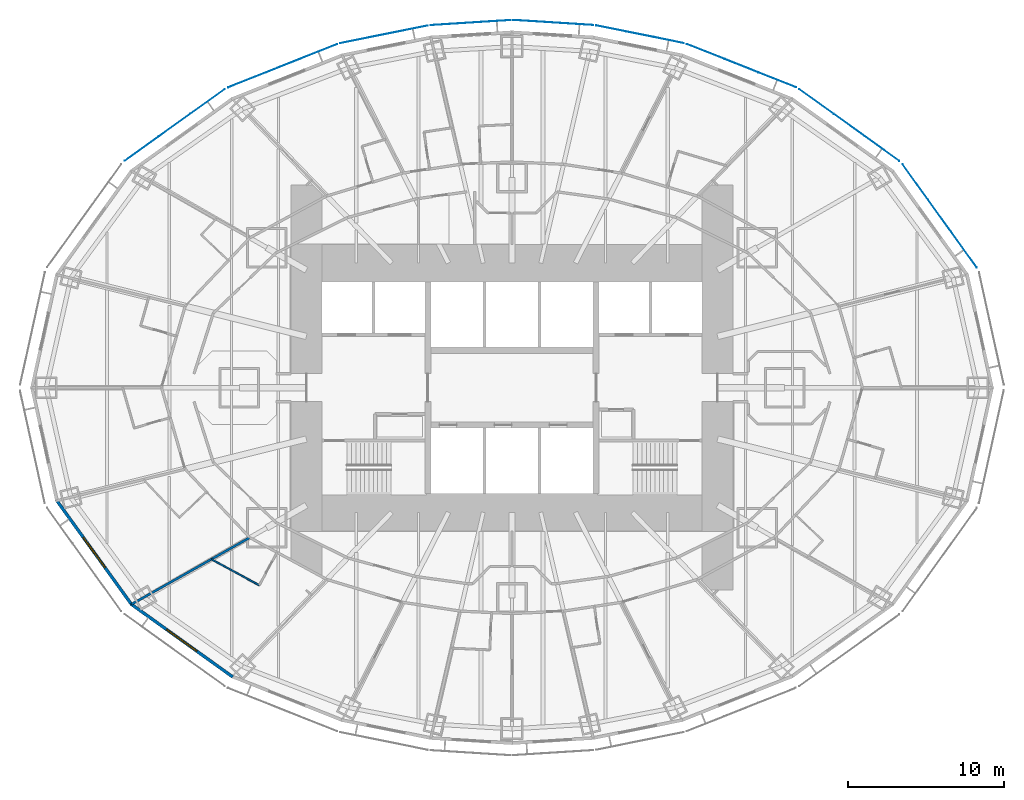
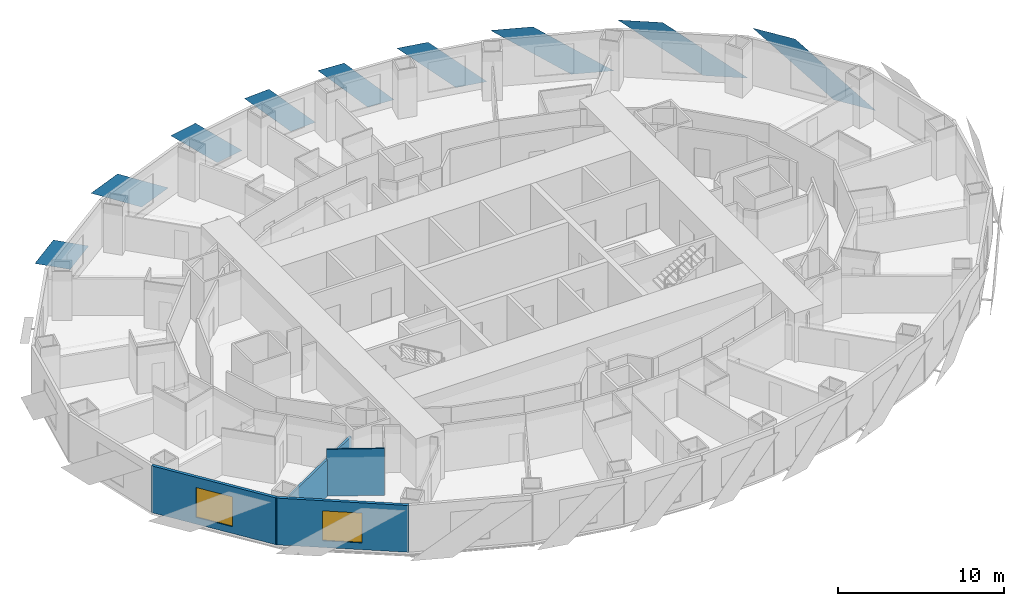
# One storey, part 4 of 15: 9 plates, 4 walls, 2 windows, 2 openings.
"""IFC4 building model written with IfcOpenShell, lengths in metres."""

from ifc_helpers import new_model, si_unit, direction, frame, frame_2d, origin, place, context, subcontext, project, spatial, polyline, rectangle, outline, extrude, material, layer, layer_set, type_object, element, fill, save


model = new_model("IFC4")

# Units and contexts
model_context = context("Model", 3, precision=1e-05, world=origin(), true_north=direction((0.0, 1.0)))
body_context = subcontext(model_context, "Body", "Model", "MODEL_VIEW")
ifc_project = project(units=[si_unit("LENGTHUNIT", "METRE"), si_unit("AREAUNIT", "SQUARE_METRE"), si_unit("VOLUMEUNIT", "CUBIC_METRE"), si_unit("PLANEANGLEUNIT", "RADIAN"), si_unit("MASSUNIT", "GRAM", prefix="KILO")], contexts=[model_context])

# Site, building, storey
site_placement = place(None, origin())
site = spatial("IfcSite", under=ifc_project, at=site_placement, CompositionType="ELEMENT")
building_placement = place(site_placement, origin())
building = spatial("IfcBuilding", under=site, at=building_placement, Name="Lantaw Convention Tower", CompositionType="ELEMENT")
storey_placement = place(building_placement, frame((0.0, 0.0, 44.199951171875)))
storey = spatial("IfcBuildingStorey", under=building, at=storey_placement, Name="L08", CompositionType="ELEMENT", Elevation=44.199951171875)

# Plates
ifc_material_1 = material(Name="Perforated aluminium sheet, pale silver finish", Category="aluminium")
ifc_layer_1 = layer(ifc_material_1, 0.006103515625)
ifc_layer_set_1 = layer_set([ifc_layer_1], Name="Perforated aluminium solar SCREEN panel")
plate_type = type_object("IfcPlateType", Name="Perforated aluminium solar SCREEN panel", PredefinedType="SHEET", material=ifc_layer_set_1)
plate_1_placement = place(storey_placement, frame((29.847900390625, 7.720947265625, -0.175048828125), z_axis=(0.811791382613, 0.583947558463, 9.019268e-06), x_axis=(-0.583947558486, 0.811791382646, 0.0)))
element("IfcPlate", 1, at=plate_1_placement, inside=storey, type_object=plate_type, Name="Solar SCREEN panel", PredefinedType="SHEET", context=body_context, shape_type="SweptSolid", body=[
    extrude(outline(polyline([(0.0, 0.0), (2.809541672291133, 0.0), (8.163093158837512, 3.739990234527119), (5.353551486546379, 3.739990234527119), (0.0, 0.0)])), origin(), (0.0, 0.0, -1.0), 0.006103515625),
])
plate_2_placement = place(storey_placement, frame((24.872314453125, 14.555908203125, -0.175048828125), z_axis=(0.582561421998, 0.812786681331, 1.5819417e-05), x_axis=(-0.812786681433, 0.582561422071, 0.0)))
element("IfcPlate", 2, at=plate_2_placement, inside=storey, type_object=plate_type, Name="Solar SCREEN panel", PredefinedType="SHEET", context=body_context, shape_type="SweptSolid", body=[
    extrude(outline(polyline([(0.0, 0.0), (2.721095180812288, 3.3881317890172014e-21), (7.903118572410756, 3.739990234842974), (5.182023391598468, 3.739990234842974), (0.0, 0.0)])), origin(), (0.0, 0.0, -1.0), 0.006103515625),
])
plate_3_placement = place(storey_placement, frame((18.232177734375, 19.278076171875, -0.175048828125), z_axis=(-0.369183532846, -0.929356508016, 9.163296e-06), x_axis=(-0.929356508055, 0.369183532862, 0.0)))
element("IfcPlate", 3, at=plate_3_placement, inside=storey, type_object=plate_type, Name="Solar SCREEN panel", PredefinedType="SHEET", context=body_context, shape_type="SweptSolid", body=[
    extrude(outline(polyline([(0.0, 0.0), (2.594936467166582, -1.6940658945086007e-21), (7.5321069917580825, -3.739990234532016), (4.937170524591499, -3.739990234532016), (0.0, 0.0)])), origin(), (0.0, 0.0, -1.0), 0.006103515625),
])
plate_4_placement = place(storey_placement, frame((11.03271484375, 22.117919921875, -0.175048828125), z_axis=(-0.197781876197, -0.980246055561, 2.418535e-06), x_axis=(-0.980246055563, 0.197781876198, 1.46e-10)))
element("IfcPlate", 4, at=plate_4_placement, inside=storey, type_object=plate_type, Name="Solar SCREEN panel", PredefinedType="SHEET", context=body_context, shape_type="SweptSolid", body=[
    extrude(outline(polyline([(0.0, 0.0), (1.9867801772236329, -3.1763735522036263e-22), (5.743587245978565, -3.7399902335493134), (3.7568553553458006, -3.739990234128105), (0.0, 0.0)])), origin(), (0.0, 0.0, -1.0), 0.006103515625),
])
plate_5_placement = place(storey_placement, frame((5.221923828125, 23.27783203125, -0.175048828125), z_axis=(-0.062923905251, -0.998018327468, 1.3605496e-05), x_axis=(-0.998018327561, 0.062923905257, 9.3e-10)))
element("IfcPlate", 5, at=plate_5_placement, inside=storey, type_object=plate_type, Name="Solar SCREEN panel", PredefinedType="SHEET", context=body_context, shape_type="SweptSolid", body=[
    extrude(outline(polyline([(0.0, 0.0), (1.7828375409377817, -2.117582368135751e-22), (5.143985963027618, -3.739990229938699), (3.3611637843713935, -3.7399902332537565), (0.0, 0.0)])), origin(), (0.0, 0.0, -1.0), 0.006103515625),
])
plate_6_placement = place(storey_placement, frame((-0.088134765625, 23.6015625, -0.175048828125), z_axis=(-0.062923905251, 0.998018327468, 1.3605496e-05), x_axis=(-0.998018327561, -0.062923905257, -9.3e-10)))
element("IfcPlate", 6, at=plate_6_placement, inside=storey, type_object=plate_type, Name="Solar SCREEN panel", PredefinedType="SHEET", context=body_context, shape_type="SweptSolid", body=[
    extrude(outline(polyline([(0.0, 0.0), (1.782822178656225, -2.117582368135751e-22), (5.143985956073316, 3.7399902395036517), (3.3611484151355353, 3.7399902361885653), (0.0, 0.0)])), origin(), (0.0, 0.0, -1.0), 0.006103515625),
])
plate_7_placement = place(storey_placement, frame((-5.402587890625, 23.25390625, -0.175048828125), z_axis=(-0.197781876197, 0.980246055561, 2.418535e-06), x_axis=(-0.980246055563, -0.197781876198, -1.46e-10)))
element("IfcPlate", 7, at=plate_7_placement, inside=storey, type_object=plate_type, Name="Solar SCREEN panel", PredefinedType="SHEET", context=body_context, shape_type="SweptSolid", body=[
    extrude(outline(polyline([(0.0, 0.0), (1.9867318906327642, 1.0587911840678754e-22), (5.743587244888999, 3.7399902352225842), (3.7568070676653664, 3.7399902346437783), (0.0, 0.0)])), origin(), (0.0, 0.0, -1.0), 0.006103515625),
])
plate_8_placement = place(storey_placement, frame((-11.232177734375, 22.058837890625, -0.175048828125), z_axis=(-0.369183532846, 0.929356508016, 9.163296e-06), x_axis=(-0.929356508055, -0.369183532862, 0.0)))
element("IfcPlate", 8, at=plate_8_placement, inside=storey, type_object=plate_type, Name="Solar SCREEN panel", PredefinedType="SHEET", context=body_context, shape_type="SweptSolid", body=[
    extrude(outline(polyline([(0.0, 0.0), (2.594936467166582, 1.6940658945086007e-21), (7.5321069917580825, 3.739990234532016), (4.937170524591499, 3.739990234532016), (0.0, 0.0)])), origin(), (0.0, 0.0, -1.0), 0.006103515625),
])
plate_9_placement = place(storey_placement, frame((-18.44873046875, 19.159912109375, -0.175048828125), z_axis=(0.582561421998, -0.812786681331, 1.5819417e-05), x_axis=(-0.812786681433, -0.582561422071, 0.0)))
element("IfcPlate", 9, at=plate_9_placement, inside=storey, type_object=plate_type, Name="Solar SCREEN panel", PredefinedType="SHEET", context=body_context, shape_type="SweptSolid", body=[
    extrude(outline(polyline([(0.0, 0.0), (2.721095180812288, -3.3881317890172014e-21), (7.903118572410756, -3.739990234842974), (5.182023391598468, -3.739990234842974), (0.0, 0.0)])), origin(), (0.0, 0.0, -1.0), 0.006103515625),
])

# Wall
ifc_material_2 = material(Name="Moisture resistant gypsum board on steel studs", Category="steel")
ifc_layer_2 = layer(ifc_material_2, 0.10009765625)
ifc_layer_set_2 = layer_set([ifc_layer_2], Name="Bathroom wall 100")
wall_type_1 = type_object("IfcWallType", Name="Bathroom wall 100", PredefinedType="PARTITIONING", material=ifc_layer_set_2)
wall_1_placement = place(storey_placement, frame((-16.224853515625, -12.683837890625, 0.0), z_axis=(0.0, 0.0, 1.0), x_axis=(-0.878473578893, 0.477790928322, 0.0)))
element("IfcWall", 10, at=wall_1_placement, inside=storey, type_object=wall_type_1, Name="Bathroom wall 100", PredefinedType="PARTITIONING", context=body_context, shape_type="SweptSolid", body=[
    extrude(rectangle(XDim=3.48291015625, YDim=0.10009765625, at=frame_2d((1.741455078125, 0.0))), origin(), (0.0, 0.0, 1.0), 3.449951171875),
])

# Wall, opening, window
ifc_material_3 = material(Name="Insulated aluminium panel on steel frame", Category="steel")
ifc_layer_3 = layer(ifc_material_3, 0.199951171875)
ifc_layer_set_3 = layer_set([ifc_layer_3], Name="External wall 200")
wall_type_2 = type_object("IfcWallType", Name="External wall 200", PredefinedType="SOLIDWALL", material=ifc_layer_set_3)
wall_2_placement = place(storey_placement, frame((-29.260498046875, -7.199951171875, 0.0), z_axis=(0.0, 0.0, 1.0), x_axis=(0.583937613703, -0.811798536155, 0.0)))
wall_2 = element("IfcWall", 11, at=wall_2_placement, inside=storey, type_object=wall_type_2, Name="Facade panel wall", PredefinedType="SOLIDWALL", context=body_context, shape_type="SweptSolid", body=[
    extrude(rectangle(XDim=8.322998046875, YDim=0.199951171875, at=frame_2d((4.16162109375, 0.0))), origin(), (0.0, 0.0, 1.0), 3.449951171875),
])
opening_1_placement = place(wall_2_placement, frame((2.96142578125, 0.0, 0.5)))
opening_1 = element("IfcOpeningElement", 12, at=opening_1_placement, cuts=wall_2, Name="Opening W1", PredefinedType="OPENING", context=body_context, shape_type="SweptSolid", body=[
    extrude(rectangle(XDim=2.39990234375, YDim=2.199951171875, at=frame_2d((1.199951171875, 1.10009765625))), frame((0.0, 0.10986328125, 0.0), z_axis=(0.0, -1.0, 0.0), x_axis=(1.0, 0.0, 0.0)), (0.0, 0.0, 1.0), 0.219970703125),
])
ifc_material_4 = material(Name="Aluminium frame, clear insulating glass", Category="aluminium")
window_type = type_object("IfcWindowType", Name="Guest room window 2400x2200", PartitioningType="SINGLE_PANEL", PredefinedType="WINDOW", material=ifc_material_4)
window_1_placement = place(opening_1_placement, origin())
window_1 = element("IfcWindow", 13, at=window_1_placement, inside=storey, type_object=window_type, Name="Guest room window", OverallHeight=2.199951171875, OverallWidth=2.39990234375, PartitioningType="SINGLE_PANEL", PredefinedType="WINDOW", context=body_context, shape_type="SweptSolid", body=[
    extrude(rectangle(XDim=2.39990234375, YDim=2.199951171875, at=frame_2d((1.199951171875, 1.10009765625))), frame((0.0, 0.030029296875, 0.0), z_axis=(0.0, -1.0, 0.0), x_axis=(1.0, 0.0, 0.0)), (0.0, 0.0, 1.0), 0.06005859375),
])
fill(opening_1, window_1)

wall_3_placement = place(storey_placement, frame((-24.482421875, -13.87451171875, 0.0), z_axis=(0.0, 0.0, 1.0), x_axis=(0.812791321576, -0.582554948112, 0.0)))
wall_3 = element("IfcWall", 14, at=wall_3_placement, inside=storey, type_object=wall_type_2, Name="Facade panel wall", PredefinedType="SOLIDWALL", context=body_context, shape_type="SweptSolid", body=[
    extrude(rectangle(XDim=8.063232421875, YDim=0.199951171875, at=frame_2d((4.03173828125, 0.0))), origin(), (0.0, 0.0, 1.0), 3.449951171875),
])
opening_2_placement = place(wall_3_placement, frame((2.83154296875, 0.0, 0.5)))
opening_2 = element("IfcOpeningElement", 15, at=opening_2_placement, cuts=wall_3, Name="Opening W1", PredefinedType="OPENING", context=body_context, shape_type="SweptSolid", body=[
    extrude(rectangle(XDim=2.39990234375, YDim=2.199951171875, at=frame_2d((1.199951171875, 1.10009765625))), frame((0.0, 0.10986328125, 0.0), z_axis=(0.0, -1.0, 0.0), x_axis=(1.0, 0.0, 0.0)), (0.0, 0.0, 1.0), 0.219970703125),
])
window_2_placement = place(opening_2_placement, origin())
window_2 = element("IfcWindow", 16, at=window_2_placement, inside=storey, type_object=window_type, Name="Guest room window", OverallHeight=2.199951171875, OverallWidth=2.39990234375, PartitioningType="SINGLE_PANEL", PredefinedType="WINDOW", context=body_context, shape_type="SweptSolid", body=[
    extrude(rectangle(XDim=2.39990234375, YDim=2.199951171875, at=frame_2d((1.199951171875, 1.10009765625))), frame((0.0, 0.030029296875, 0.0), z_axis=(0.0, -1.0, 0.0), x_axis=(1.0, 0.0, 0.0)), (0.0, 0.0, 1.0), 0.06005859375),
])
fill(opening_2, window_2)

# Wall
ifc_material_5 = material(Name="Gypsum board on steel studs, acoustic", Category="steel")
ifc_layer_4 = layer(ifc_material_5, 0.14990234375)
ifc_layer_set_4 = layer_set([ifc_layer_4], Name="Guest room party wall 150")
wall_type_3 = type_object("IfcWallType", Name="Guest room party wall 150", PredefinedType="PARTITIONING", material=ifc_layer_set_4)
wall_4_placement = place(storey_placement, frame((-24.434814453125, -13.90869140625, 0.0), z_axis=(0.0, 0.0, 1.0), x_axis=(0.87090601027, 0.491449612143, 0.0)))
element("IfcWall", 17, at=wall_4_placement, inside=storey, type_object=wall_type_3, Name="Guest room party wall 150", PredefinedType="PARTITIONING", context=body_context, shape_type="SweptSolid", body=[
    extrude(rectangle(XDim=8.726318359375, YDim=0.14990234375, at=frame_2d((4.36328125, 0.0))), origin(), (0.0, 0.0, 1.0), 2.693115234375),
])

save(model, "model.ifc")
